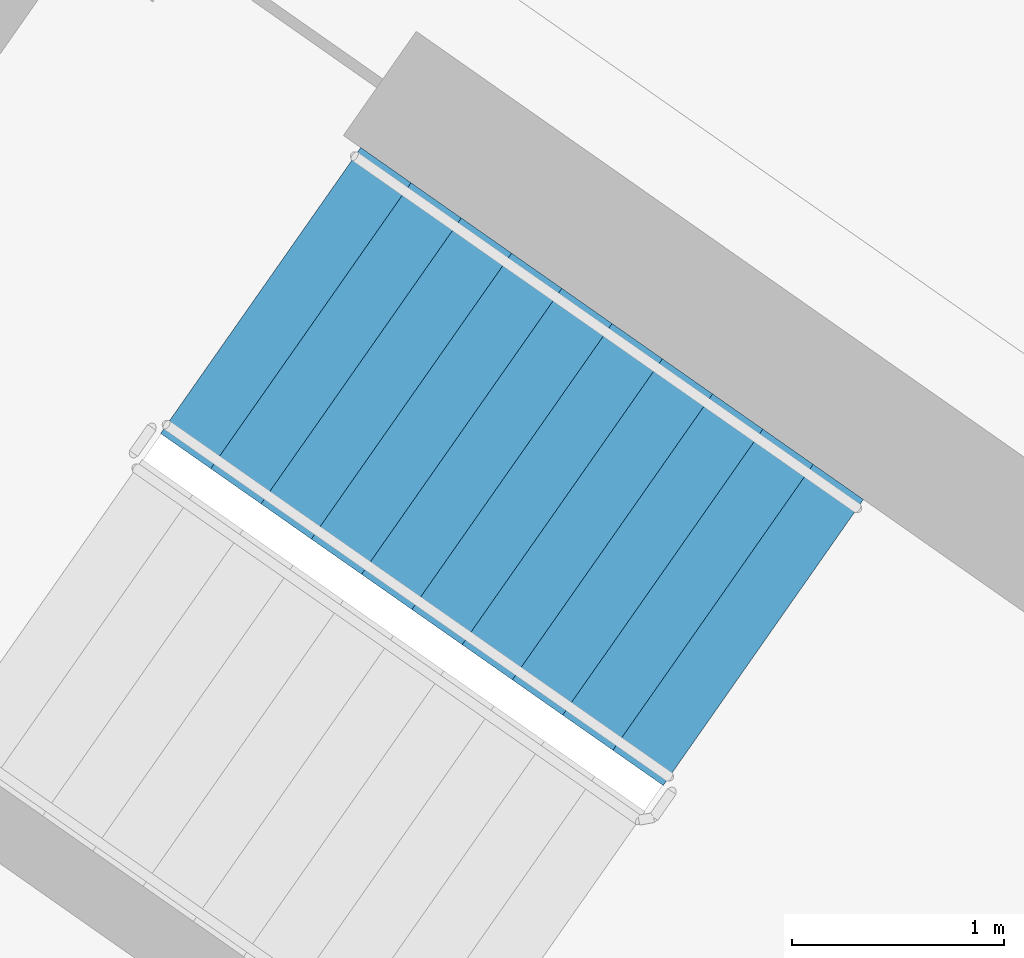
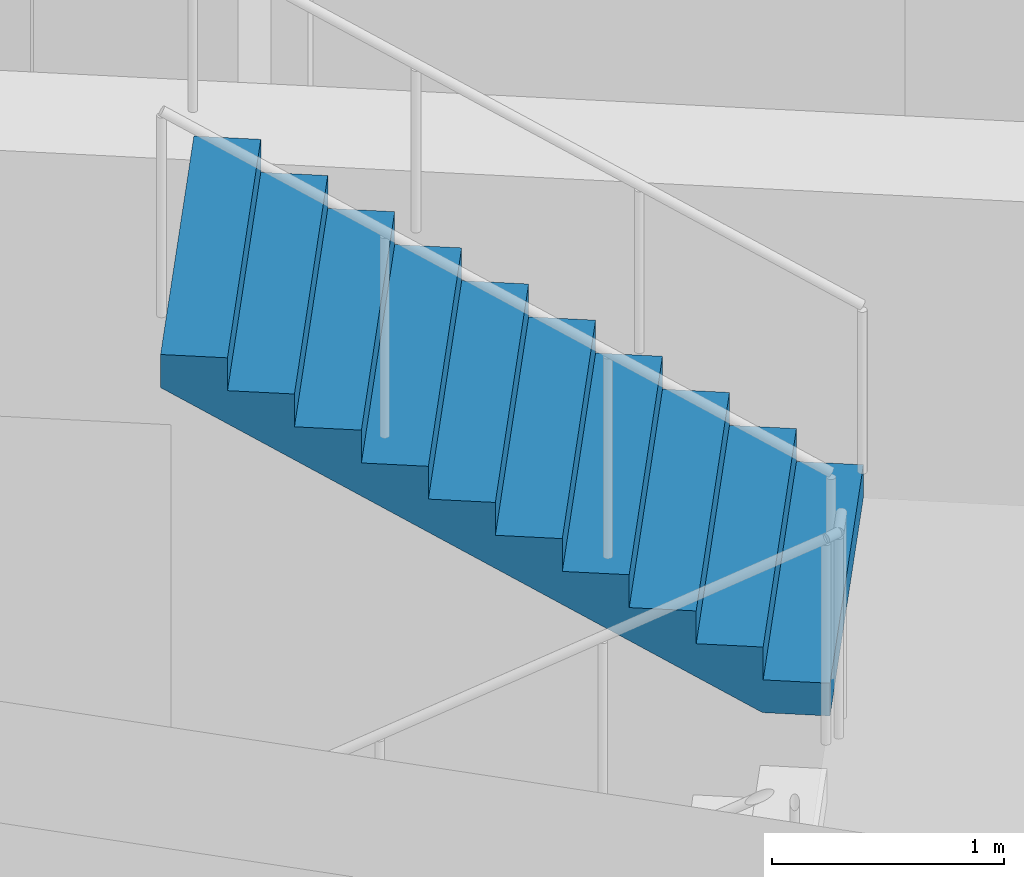
# One storey, part 13 of 28: 1 stair flight, 1 element without a shape of its own.
"""IFC4 building model written with IfcOpenShell, lengths in metres."""

from ifc_helpers import new_model, si_unit, direction, frame, origin, place, context, subcontext, project, spatial, faceted_brep, material, type_object, element, aggregate, save


model = new_model("IFC4")

# Units and contexts
model_context = context("Model", 3, precision=1e-05, world=origin(), true_north=direction((0.0, 1.0)))
body_context = subcontext(model_context, "Body", "Model", "MODEL_VIEW")
ifc_project = project(units=[si_unit("LENGTHUNIT", "METRE"), si_unit("AREAUNIT", "SQUARE_METRE"), si_unit("VOLUMEUNIT", "CUBIC_METRE"), si_unit("PLANEANGLEUNIT", "RADIAN"), si_unit("MASSUNIT", "GRAM", prefix="KILO")], contexts=[model_context])

# Site, building, storey
site_placement = place(None, origin())
site = spatial("IfcSite", under=ifc_project, at=site_placement, CompositionType="ELEMENT")
building_placement = place(site_placement, origin())
building = spatial("IfcBuilding", under=site, at=building_placement, Name="Qamariyya Broadcast Tower", CompositionType="ELEMENT")
storey_placement = place(building_placement, frame((0.0, 0.0, 269.5)))
storey = spatial("IfcBuildingStorey", under=building, at=storey_placement, Name="L65", CompositionType="ELEMENT", Elevation=269.5)

# Stair, stair flight
ifc_material = material(Name="Concrete C50/60", Category="concrete")
stair_type = type_object("IfcStairType", Name="Exit stair 22 risers of 173 mm", PredefinedType="HALF_TURN_STAIR", material=ifc_material)
stair_placement = place(storey_placement, origin())
stair = element("IfcStair", 1, at=stair_placement, inside=storey, type_object=stair_type, Name="L65 Stair W2", PredefinedType="HALF_TURN_STAIR")
stair_flight_type = type_object("IfcStairFlightType", Name="Exit stair flight 11 risers of 173 mm", PredefinedType="STRAIGHT", material=ifc_material)
stair_flight_placement = place(storey_placement, frame((-38.18310546875, -49.3486328125, 1.89990234375), z_axis=(0.0, 0.0, 1.0), x_axis=(-0.819152044289, 0.573576436351, 0.0)))
stair_flight = element("IfcStairFlight", 2, at=stair_flight_placement, type_object=stair_flight_type, Name="ST-W2 flight 2", NumberOfRisers=11, NumberOfTreads=10, PredefinedType="STRAIGHT", RiserHeight=0.172727273, TreadLength=0.29, context=body_context, shape_type="Brep", body=[
    faceted_brep([(0.0, 0.824951171875, 0.0), (0.0, 0.824951171875, 0.172607421875), (0.2900390625, 0.824951171875, 0.172607421875), (0.2900390625, 0.824951171875, 0.345458984375), (0.580078125, 0.824951171875, 0.345458984375), (0.580078125, 0.824951171875, 0.51806640625), (0.8701171875, 0.824951171875, 0.51806640625), (0.8701171875, 0.824951171875, 0.69091796875), (1.159912109375, 0.824951171875, 0.69091796875), (1.159912109375, 0.824951171875, 0.863525390625), (1.449951171875, 0.824951171875, 0.863525390625), (1.449951171875, 0.824951171875, 1.036376953125), (1.739990234375, 0.824951171875, 1.036376953125), (1.739990234375, 0.824951171875, 1.208984375), (2.030029296875, 0.824951171875, 1.208984375), (2.030029296875, 0.824951171875, 1.3818359375), (2.320068359375, 0.824951171875, 1.3818359375), (2.320068359375, 0.824951171875, 1.554443359375), (2.610107421875, 0.824951171875, 1.554443359375), (2.610107421875, 0.824951171875, 1.727294921875), (2.89990234375, 0.824951171875, 1.727294921875), (2.89990234375, 0.824951171875, 1.552734375), (0.29296875, 0.824951171875, 0.0), (0.29296875, -0.824951171875, 0.0), (2.89990234375, -0.824951171875, 1.552734375), (2.89990234375, -0.824951171875, 1.727294921875), (2.610107421875, -0.824951171875, 1.727294921875), (2.610107421875, -0.824951171875, 1.554443359375), (2.320068359375, -0.824951171875, 1.554443359375), (2.320068359375, -0.824951171875, 1.3818359375), (2.030029296875, -0.824951171875, 1.3818359375), (2.030029296875, -0.824951171875, 1.208984375), (1.739990234375, -0.824951171875, 1.208984375), (1.739990234375, -0.824951171875, 1.036376953125), (1.449951171875, -0.824951171875, 1.036376953125), (1.449951171875, -0.824951171875, 0.863525390625), (1.159912109375, -0.824951171875, 0.863525390625), (1.159912109375, -0.824951171875, 0.69091796875), (0.8701171875, -0.824951171875, 0.69091796875), (0.8701171875, -0.824951171875, 0.51806640625), (0.580078125, -0.824951171875, 0.51806640625), (0.580078125, -0.824951171875, 0.345458984375), (0.2900390625, -0.824951171875, 0.345458984375), (0.2900390625, -0.824951171875, 0.172607421875), (0.0, -0.824951171875, 0.172607421875), (0.0, -0.824951171875, 0.0), (0.0, 0.10009765625, 0.0), (0.0, 0.086669921875, 0.0), (0.0, 0.0732421875, 0.0), (0.0, 0.06005859375, 0.0), (0.0, 0.046630859375, 0.0), (0.0, 0.033447265625, 0.0), (0.0, 0.02001953125, 0.0), (0.0, 0.006591796875, 0.0), (0.0, -0.006591796875, 0.0), (0.0, -0.02001953125, 0.0), (0.0, -0.033447265625, 0.0), (0.0, -0.046630859375, 0.0), (0.0, -0.06005859375, 0.0), (0.0, -0.0732421875, 0.0), (0.0, -0.086669921875, 0.0), (0.0, -0.10009765625, 0.0), (0.0, -0.10009765625, 0.172607421875), (0.0, -0.086669921875, 0.172607421875), (0.0, -0.0732421875, 0.172607421875), (0.0, -0.06005859375, 0.172607421875), (0.0, -0.046630859375, 0.172607421875), (0.0, -0.033447265625, 0.172607421875), (0.0, -0.02001953125, 0.172607421875), (0.0, -0.006591796875, 0.172607421875), (0.0, 0.006591796875, 0.172607421875), (0.0, 0.02001953125, 0.172607421875), (0.0, 0.033447265625, 0.172607421875), (0.0, 0.046630859375, 0.172607421875), (0.0, 0.06005859375, 0.172607421875), (0.0, 0.0732421875, 0.172607421875), (0.0, 0.086669921875, 0.172607421875), (0.0, 0.10009765625, 0.172607421875), (0.2900390625, -0.10009765625, 0.172607421875), (0.2900390625, -0.086669921875, 0.172607421875), (0.2900390625, -0.0732421875, 0.172607421875), (0.2900390625, -0.06005859375, 0.172607421875), (0.2900390625, -0.046630859375, 0.172607421875), (0.2900390625, -0.033447265625, 0.172607421875), (0.2900390625, -0.02001953125, 0.172607421875), (0.2900390625, -0.006591796875, 0.172607421875), (0.2900390625, 0.006591796875, 0.172607421875), (0.2900390625, 0.02001953125, 0.172607421875), (0.2900390625, 0.033447265625, 0.172607421875), (0.2900390625, 0.046630859375, 0.172607421875), (0.2900390625, 0.06005859375, 0.172607421875), (0.2900390625, 0.0732421875, 0.172607421875), (0.2900390625, 0.086669921875, 0.172607421875), (0.2900390625, 0.10009765625, 0.172607421875), (0.2900390625, -0.10009765625, 0.345458984375), (0.2900390625, -0.086669921875, 0.345458984375), (0.2900390625, -0.0732421875, 0.345458984375), (0.2900390625, -0.06005859375, 0.345458984375), (0.2900390625, -0.046630859375, 0.345458984375), (0.2900390625, -0.033447265625, 0.345458984375), (0.2900390625, -0.02001953125, 0.345458984375), (0.2900390625, -0.006591796875, 0.345458984375), (0.2900390625, 0.006591796875, 0.345458984375), (0.2900390625, 0.02001953125, 0.345458984375), (0.2900390625, 0.033447265625, 0.345458984375), (0.2900390625, 0.046630859375, 0.345458984375), (0.2900390625, 0.06005859375, 0.345458984375), (0.2900390625, 0.0732421875, 0.345458984375), (0.2900390625, 0.086669921875, 0.345458984375), (0.2900390625, 0.10009765625, 0.345458984375), (0.580078125, -0.10009765625, 0.345458984375), (0.580078125, -0.086669921875, 0.345458984375), (0.580078125, -0.0732421875, 0.345458984375), (0.580078125, -0.06005859375, 0.345458984375), (0.580078125, -0.046630859375, 0.345458984375), (0.580078125, -0.033447265625, 0.345458984375), (0.580078125, -0.02001953125, 0.345458984375), (0.580078125, -0.006591796875, 0.345458984375), (0.580078125, 0.006591796875, 0.345458984375), (0.580078125, 0.02001953125, 0.345458984375), (0.580078125, 0.033447265625, 0.345458984375), (0.580078125, 0.046630859375, 0.345458984375), (0.580078125, 0.06005859375, 0.345458984375), (0.580078125, 0.0732421875, 0.345458984375), (0.580078125, 0.086669921875, 0.345458984375), (0.580078125, 0.10009765625, 0.345458984375), (0.580078125, -0.10009765625, 0.51806640625), (0.580078125, -0.086669921875, 0.51806640625), (0.580078125, -0.0732421875, 0.51806640625), (0.580078125, -0.06005859375, 0.51806640625), (0.580078125, -0.046630859375, 0.51806640625), (0.580078125, -0.033447265625, 0.51806640625), (0.580078125, -0.02001953125, 0.51806640625), (0.580078125, -0.006591796875, 0.51806640625), (0.580078125, 0.006591796875, 0.51806640625), (0.580078125, 0.02001953125, 0.51806640625), (0.580078125, 0.033447265625, 0.51806640625), (0.580078125, 0.046630859375, 0.51806640625), (0.580078125, 0.06005859375, 0.51806640625), (0.580078125, 0.0732421875, 0.51806640625), (0.580078125, 0.086669921875, 0.51806640625), (0.580078125, 0.10009765625, 0.51806640625), (0.8701171875, -0.10009765625, 0.51806640625), (0.8701171875, -0.086669921875, 0.51806640625), (0.8701171875, -0.0732421875, 0.51806640625), (0.8701171875, -0.06005859375, 0.51806640625), (0.8701171875, -0.046630859375, 0.51806640625), (0.8701171875, -0.033447265625, 0.51806640625), (0.8701171875, -0.02001953125, 0.51806640625), (0.8701171875, -0.006591796875, 0.51806640625), (0.8701171875, 0.006591796875, 0.51806640625), (0.8701171875, 0.02001953125, 0.51806640625), (0.8701171875, 0.033447265625, 0.51806640625), (0.8701171875, 0.046630859375, 0.51806640625), (0.8701171875, 0.06005859375, 0.51806640625), (0.8701171875, 0.0732421875, 0.51806640625), (0.8701171875, 0.086669921875, 0.51806640625), (0.8701171875, 0.10009765625, 0.51806640625), (0.8701171875, -0.10009765625, 0.69091796875), (0.8701171875, -0.086669921875, 0.69091796875), (0.8701171875, -0.0732421875, 0.69091796875), (0.8701171875, -0.06005859375, 0.69091796875), (0.8701171875, -0.046630859375, 0.69091796875), (0.8701171875, -0.033447265625, 0.69091796875), (0.8701171875, -0.02001953125, 0.69091796875), (0.8701171875, -0.006591796875, 0.69091796875), (0.8701171875, 0.006591796875, 0.69091796875), (0.8701171875, 0.02001953125, 0.69091796875), (0.8701171875, 0.033447265625, 0.69091796875), (0.8701171875, 0.046630859375, 0.69091796875), (0.8701171875, 0.06005859375, 0.69091796875), (0.8701171875, 0.0732421875, 0.69091796875), (0.8701171875, 0.086669921875, 0.69091796875), (0.8701171875, 0.10009765625, 0.69091796875), (1.159912109375, -0.10009765625, 0.69091796875), (1.159912109375, -0.086669921875, 0.69091796875), (1.159912109375, -0.0732421875, 0.69091796875), (1.159912109375, -0.06005859375, 0.69091796875), (1.159912109375, -0.046630859375, 0.69091796875), (1.159912109375, -0.033447265625, 0.69091796875), (1.159912109375, -0.02001953125, 0.69091796875), (1.159912109375, -0.006591796875, 0.69091796875), (1.159912109375, 0.006591796875, 0.69091796875), (1.159912109375, 0.02001953125, 0.69091796875), (1.159912109375, 0.033447265625, 0.69091796875), (1.159912109375, 0.046630859375, 0.69091796875), (1.159912109375, 0.06005859375, 0.69091796875), (1.159912109375, 0.0732421875, 0.69091796875), (1.159912109375, 0.086669921875, 0.69091796875), (1.159912109375, 0.10009765625, 0.69091796875), (1.159912109375, -0.10009765625, 0.863525390625), (1.159912109375, -0.086669921875, 0.863525390625), (1.159912109375, -0.0732421875, 0.863525390625), (1.159912109375, -0.06005859375, 0.863525390625), (1.159912109375, -0.046630859375, 0.863525390625), (1.159912109375, -0.033447265625, 0.863525390625), (1.159912109375, -0.02001953125, 0.863525390625), (1.159912109375, -0.006591796875, 0.863525390625), (1.159912109375, 0.006591796875, 0.863525390625), (1.159912109375, 0.02001953125, 0.863525390625), (1.159912109375, 0.033447265625, 0.863525390625), (1.159912109375, 0.046630859375, 0.863525390625), (1.159912109375, 0.06005859375, 0.863525390625), (1.159912109375, 0.0732421875, 0.863525390625), (1.159912109375, 0.086669921875, 0.863525390625), (1.159912109375, 0.10009765625, 0.863525390625), (1.449951171875, -0.10009765625, 0.863525390625), (1.449951171875, -0.086669921875, 0.863525390625), (1.449951171875, -0.0732421875, 0.863525390625), (1.449951171875, -0.06005859375, 0.863525390625), (1.449951171875, -0.046630859375, 0.863525390625), (1.449951171875, -0.033447265625, 0.863525390625), (1.449951171875, -0.02001953125, 0.863525390625), (1.449951171875, -0.006591796875, 0.863525390625), (1.449951171875, 0.006591796875, 0.863525390625), (1.449951171875, 0.02001953125, 0.863525390625), (1.449951171875, 0.033447265625, 0.863525390625), (1.449951171875, 0.046630859375, 0.863525390625), (1.449951171875, 0.06005859375, 0.863525390625), (1.449951171875, 0.0732421875, 0.863525390625), (1.449951171875, 0.086669921875, 0.863525390625), (1.449951171875, 0.10009765625, 0.863525390625), (1.449951171875, -0.10009765625, 1.036376953125), (1.449951171875, -0.086669921875, 1.036376953125), (1.449951171875, -0.0732421875, 1.036376953125), (1.449951171875, -0.06005859375, 1.036376953125), (1.449951171875, -0.046630859375, 1.036376953125), (1.449951171875, -0.033447265625, 1.036376953125), (1.449951171875, -0.02001953125, 1.036376953125), (1.449951171875, -0.006591796875, 1.036376953125), (1.449951171875, 0.006591796875, 1.036376953125), (1.449951171875, 0.02001953125, 1.036376953125), (1.449951171875, 0.033447265625, 1.036376953125), (1.449951171875, 0.046630859375, 1.036376953125), (1.449951171875, 0.06005859375, 1.036376953125), (1.449951171875, 0.0732421875, 1.036376953125), (1.449951171875, 0.086669921875, 1.036376953125), (1.449951171875, 0.10009765625, 1.036376953125), (1.739990234375, -0.10009765625, 1.036376953125), (1.739990234375, -0.086669921875, 1.036376953125), (1.739990234375, -0.0732421875, 1.036376953125), (1.739990234375, -0.06005859375, 1.036376953125), (1.739990234375, -0.046630859375, 1.036376953125), (1.739990234375, -0.033447265625, 1.036376953125), (1.739990234375, -0.02001953125, 1.036376953125), (1.739990234375, -0.006591796875, 1.036376953125), (1.739990234375, 0.006591796875, 1.036376953125), (1.739990234375, 0.02001953125, 1.036376953125), (1.739990234375, 0.033447265625, 1.036376953125), (1.739990234375, 0.046630859375, 1.036376953125), (1.739990234375, 0.06005859375, 1.036376953125), (1.739990234375, 0.0732421875, 1.036376953125), (1.739990234375, 0.086669921875, 1.036376953125), (1.739990234375, 0.10009765625, 1.036376953125), (1.739990234375, -0.10009765625, 1.208984375), (1.739990234375, -0.086669921875, 1.208984375), (1.739990234375, -0.0732421875, 1.208984375), (1.739990234375, -0.06005859375, 1.208984375), (1.739990234375, -0.046630859375, 1.208984375), (1.739990234375, -0.033447265625, 1.208984375), (1.739990234375, -0.02001953125, 1.208984375), (1.739990234375, -0.006591796875, 1.208984375), (1.739990234375, 0.006591796875, 1.208984375), (1.739990234375, 0.02001953125, 1.208984375), (1.739990234375, 0.033447265625, 1.208984375), (1.739990234375, 0.046630859375, 1.208984375), (1.739990234375, 0.06005859375, 1.208984375), (1.739990234375, 0.0732421875, 1.208984375), (1.739990234375, 0.086669921875, 1.208984375), (1.739990234375, 0.10009765625, 1.208984375), (2.030029296875, -0.10009765625, 1.208984375), (2.030029296875, -0.086669921875, 1.208984375), (2.030029296875, -0.0732421875, 1.208984375), (2.030029296875, -0.06005859375, 1.208984375), (2.030029296875, -0.046630859375, 1.208984375), (2.030029296875, -0.033447265625, 1.208984375), (2.030029296875, -0.02001953125, 1.208984375), (2.030029296875, -0.006591796875, 1.208984375), (2.030029296875, 0.006591796875, 1.208984375), (2.030029296875, 0.02001953125, 1.208984375), (2.030029296875, 0.033447265625, 1.208984375), (2.030029296875, 0.046630859375, 1.208984375), (2.030029296875, 0.06005859375, 1.208984375), (2.030029296875, 0.0732421875, 1.208984375), (2.030029296875, 0.086669921875, 1.208984375), (2.030029296875, 0.10009765625, 1.208984375), (2.030029296875, -0.10009765625, 1.3818359375), (2.030029296875, -0.086669921875, 1.3818359375), (2.030029296875, -0.0732421875, 1.3818359375), (2.030029296875, -0.06005859375, 1.3818359375), (2.030029296875, -0.046630859375, 1.3818359375), (2.030029296875, -0.033447265625, 1.3818359375), (2.030029296875, -0.02001953125, 1.3818359375), (2.030029296875, -0.006591796875, 1.3818359375), (2.030029296875, 0.006591796875, 1.3818359375), (2.030029296875, 0.02001953125, 1.3818359375), (2.030029296875, 0.033447265625, 1.3818359375), (2.030029296875, 0.046630859375, 1.3818359375), (2.030029296875, 0.06005859375, 1.3818359375), (2.030029296875, 0.0732421875, 1.3818359375), (2.030029296875, 0.086669921875, 1.3818359375), (2.030029296875, 0.10009765625, 1.3818359375), (2.320068359375, -0.10009765625, 1.3818359375), (2.320068359375, -0.086669921875, 1.3818359375), (2.320068359375, -0.0732421875, 1.3818359375), (2.320068359375, -0.06005859375, 1.3818359375), (2.320068359375, -0.046630859375, 1.3818359375), (2.320068359375, -0.033447265625, 1.3818359375), (2.320068359375, -0.02001953125, 1.3818359375), (2.320068359375, -0.006591796875, 1.3818359375), (2.320068359375, 0.006591796875, 1.3818359375), (2.320068359375, 0.02001953125, 1.3818359375), (2.320068359375, 0.033447265625, 1.3818359375), (2.320068359375, 0.046630859375, 1.3818359375), (2.320068359375, 0.06005859375, 1.3818359375), (2.320068359375, 0.0732421875, 1.3818359375), (2.320068359375, 0.086669921875, 1.3818359375), (2.320068359375, 0.10009765625, 1.3818359375), (2.320068359375, -0.10009765625, 1.554443359375), (2.320068359375, -0.086669921875, 1.554443359375), (2.320068359375, -0.0732421875, 1.554443359375), (2.320068359375, -0.06005859375, 1.554443359375), (2.320068359375, -0.046630859375, 1.554443359375), (2.320068359375, -0.033447265625, 1.554443359375), (2.320068359375, -0.02001953125, 1.554443359375), (2.320068359375, -0.006591796875, 1.554443359375), (2.320068359375, 0.006591796875, 1.554443359375), (2.320068359375, 0.02001953125, 1.554443359375), (2.320068359375, 0.033447265625, 1.554443359375), (2.320068359375, 0.046630859375, 1.554443359375), (2.320068359375, 0.06005859375, 1.554443359375), (2.320068359375, 0.0732421875, 1.554443359375), (2.320068359375, 0.086669921875, 1.554443359375), (2.320068359375, 0.10009765625, 1.554443359375), (2.610107421875, -0.10009765625, 1.554443359375), (2.610107421875, -0.086669921875, 1.554443359375), (2.610107421875, -0.0732421875, 1.554443359375), (2.610107421875, -0.06005859375, 1.554443359375), (2.610107421875, -0.046630859375, 1.554443359375), (2.610107421875, -0.033447265625, 1.554443359375), (2.610107421875, -0.02001953125, 1.554443359375), (2.610107421875, -0.006591796875, 1.554443359375), (2.610107421875, 0.006591796875, 1.554443359375), (2.610107421875, 0.02001953125, 1.554443359375), (2.610107421875, 0.033447265625, 1.554443359375), (2.610107421875, 0.046630859375, 1.554443359375), (2.610107421875, 0.06005859375, 1.554443359375), (2.610107421875, 0.0732421875, 1.554443359375), (2.610107421875, 0.086669921875, 1.554443359375), (2.610107421875, 0.10009765625, 1.554443359375), (2.610107421875, -0.10009765625, 1.727294921875), (2.610107421875, -0.086669921875, 1.727294921875), (2.610107421875, -0.0732421875, 1.727294921875), (2.610107421875, -0.06005859375, 1.727294921875), (2.610107421875, -0.046630859375, 1.727294921875), (2.610107421875, -0.033447265625, 1.727294921875), (2.610107421875, -0.02001953125, 1.727294921875), (2.610107421875, -0.006591796875, 1.727294921875), (2.610107421875, 0.006591796875, 1.727294921875), (2.610107421875, 0.02001953125, 1.727294921875), (2.610107421875, 0.033447265625, 1.727294921875), (2.610107421875, 0.046630859375, 1.727294921875), (2.610107421875, 0.06005859375, 1.727294921875), (2.610107421875, 0.0732421875, 1.727294921875), (2.610107421875, 0.086669921875, 1.727294921875), (2.610107421875, 0.10009765625, 1.727294921875), (2.89990234375, -0.10009765625, 1.727294921875), (2.89990234375, -0.086669921875, 1.727294921875), (2.89990234375, -0.0732421875, 1.727294921875), (2.89990234375, -0.06005859375, 1.727294921875), (2.89990234375, -0.046630859375, 1.727294921875), (2.89990234375, -0.033447265625, 1.727294921875), (2.89990234375, -0.02001953125, 1.727294921875), (2.89990234375, -0.006591796875, 1.727294921875), (2.89990234375, 0.006591796875, 1.727294921875), (2.89990234375, 0.02001953125, 1.727294921875), (2.89990234375, 0.033447265625, 1.727294921875), (2.89990234375, 0.046630859375, 1.727294921875), (2.89990234375, 0.06005859375, 1.727294921875), (2.89990234375, 0.0732421875, 1.727294921875), (2.89990234375, 0.086669921875, 1.727294921875), (2.89990234375, 0.10009765625, 1.727294921875), (2.89990234375, -0.10009765625, 1.552734375), (2.89990234375, -0.086669921875, 1.552734375), (2.89990234375, -0.0732421875, 1.552734375), (2.89990234375, -0.06005859375, 1.552734375), (2.89990234375, -0.046630859375, 1.552734375), (2.89990234375, -0.033447265625, 1.552734375), (2.89990234375, -0.02001953125, 1.552734375), (2.89990234375, -0.006591796875, 1.552734375), (2.89990234375, 0.006591796875, 1.552734375), (2.89990234375, 0.02001953125, 1.552734375), (2.89990234375, 0.033447265625, 1.552734375), (2.89990234375, 0.046630859375, 1.552734375), (2.89990234375, 0.06005859375, 1.552734375), (2.89990234375, 0.0732421875, 1.552734375), (2.89990234375, 0.086669921875, 1.552734375), (2.89990234375, 0.10009765625, 1.552734375), (0.29296875, -0.10009765625, 0.0), (0.29296875, -0.086669921875, 0.0), (0.29296875, -0.0732421875, 0.0), (0.29296875, -0.06005859375, 0.0), (0.29296875, -0.046630859375, 0.0), (0.29296875, -0.033447265625, 0.0), (0.29296875, -0.02001953125, 0.0), (0.29296875, -0.006591796875, 0.0), (0.29296875, 0.006591796875, 0.0), (0.29296875, 0.02001953125, 0.0), (0.29296875, 0.033447265625, 0.0), (0.29296875, 0.046630859375, 0.0), (0.29296875, 0.06005859375, 0.0), (0.29296875, 0.0732421875, 0.0), (0.29296875, 0.086669921875, 0.0), (0.29296875, 0.10009765625, 0.0)], [[[0, 1, 2, 3, 4, 5, 6, 7, 8, 9, 10, 11, 12, 13, 14, 15, 16, 17, 18, 19, 20, 21, 22]], [[23, 24, 25, 26, 27, 28, 29, 30, 31, 32, 33, 34, 35, 36, 37, 38, 39, 40, 41, 42, 43, 44, 45]], [[0, 46, 47, 48, 49, 50, 51, 52, 53, 54, 55, 56, 57, 58, 59, 60, 61, 45, 44, 62, 63, 64, 65, 66, 67, 68, 69, 70, 71, 72, 73, 74, 75, 76, 77, 1]], [[1, 77, 76, 75, 74, 73, 72, 71, 70, 69, 68, 67, 66, 65, 64, 63, 62, 44, 43, 78, 79, 80, 81, 82, 83, 84, 85, 86, 87, 88, 89, 90, 91, 92, 93, 2]], [[2, 93, 92, 91, 90, 89, 88, 87, 86, 85, 84, 83, 82, 81, 80, 79, 78, 43, 42, 94, 95, 96, 97, 98, 99, 100, 101, 102, 103, 104, 105, 106, 107, 108, 109, 3]], [[3, 109, 108, 107, 106, 105, 104, 103, 102, 101, 100, 99, 98, 97, 96, 95, 94, 42, 41, 110, 111, 112, 113, 114, 115, 116, 117, 118, 119, 120, 121, 122, 123, 124, 125, 4]], [[4, 125, 124, 123, 122, 121, 120, 119, 118, 117, 116, 115, 114, 113, 112, 111, 110, 41, 40, 126, 127, 128, 129, 130, 131, 132, 133, 134, 135, 136, 137, 138, 139, 140, 141, 5]], [[5, 141, 140, 139, 138, 137, 136, 135, 134, 133, 132, 131, 130, 129, 128, 127, 126, 40, 39, 142, 143, 144, 145, 146, 147, 148, 149, 150, 151, 152, 153, 154, 155, 156, 157, 6]], [[6, 157, 156, 155, 154, 153, 152, 151, 150, 149, 148, 147, 146, 145, 144, 143, 142, 39, 38, 158, 159, 160, 161, 162, 163, 164, 165, 166, 167, 168, 169, 170, 171, 172, 173, 7]], [[7, 173, 172, 171, 170, 169, 168, 167, 166, 165, 164, 163, 162, 161, 160, 159, 158, 38, 37, 174, 175, 176, 177, 178, 179, 180, 181, 182, 183, 184, 185, 186, 187, 188, 189, 8]], [[8, 189, 188, 187, 186, 185, 184, 183, 182, 181, 180, 179, 178, 177, 176, 175, 174, 37, 36, 190, 191, 192, 193, 194, 195, 196, 197, 198, 199, 200, 201, 202, 203, 204, 205, 9]], [[9, 205, 204, 203, 202, 201, 200, 199, 198, 197, 196, 195, 194, 193, 192, 191, 190, 36, 35, 206, 207, 208, 209, 210, 211, 212, 213, 214, 215, 216, 217, 218, 219, 220, 221, 10]], [[10, 221, 220, 219, 218, 217, 216, 215, 214, 213, 212, 211, 210, 209, 208, 207, 206, 35, 34, 222, 223, 224, 225, 226, 227, 228, 229, 230, 231, 232, 233, 234, 235, 236, 237, 11]], [[11, 237, 236, 235, 234, 233, 232, 231, 230, 229, 228, 227, 226, 225, 224, 223, 222, 34, 33, 238, 239, 240, 241, 242, 243, 244, 245, 246, 247, 248, 249, 250, 251, 252, 253, 12]], [[12, 253, 252, 251, 250, 249, 248, 247, 246, 245, 244, 243, 242, 241, 240, 239, 238, 33, 32, 254, 255, 256, 257, 258, 259, 260, 261, 262, 263, 264, 265, 266, 267, 268, 269, 13]], [[13, 269, 268, 267, 266, 265, 264, 263, 262, 261, 260, 259, 258, 257, 256, 255, 254, 32, 31, 270, 271, 272, 273, 274, 275, 276, 277, 278, 279, 280, 281, 282, 283, 284, 285, 14]], [[14, 285, 284, 283, 282, 281, 280, 279, 278, 277, 276, 275, 274, 273, 272, 271, 270, 31, 30, 286, 287, 288, 289, 290, 291, 292, 293, 294, 295, 296, 297, 298, 299, 300, 301, 15]], [[15, 301, 300, 299, 298, 297, 296, 295, 294, 293, 292, 291, 290, 289, 288, 287, 286, 30, 29, 302, 303, 304, 305, 306, 307, 308, 309, 310, 311, 312, 313, 314, 315, 316, 317, 16]], [[16, 317, 316, 315, 314, 313, 312, 311, 310, 309, 308, 307, 306, 305, 304, 303, 302, 29, 28, 318, 319, 320, 321, 322, 323, 324, 325, 326, 327, 328, 329, 330, 331, 332, 333, 17]], [[17, 333, 332, 331, 330, 329, 328, 327, 326, 325, 324, 323, 322, 321, 320, 319, 318, 28, 27, 334, 335, 336, 337, 338, 339, 340, 341, 342, 343, 344, 345, 346, 347, 348, 349, 18]], [[18, 349, 348, 347, 346, 345, 344, 343, 342, 341, 340, 339, 338, 337, 336, 335, 334, 27, 26, 350, 351, 352, 353, 354, 355, 356, 357, 358, 359, 360, 361, 362, 363, 364, 365, 19]], [[19, 365, 364, 363, 362, 361, 360, 359, 358, 357, 356, 355, 354, 353, 352, 351, 350, 26, 25, 366, 367, 368, 369, 370, 371, 372, 373, 374, 375, 376, 377, 378, 379, 380, 381, 20]], [[20, 381, 380, 379, 378, 377, 376, 375, 374, 373, 372, 371, 370, 369, 368, 367, 366, 25, 24, 382, 383, 384, 385, 386, 387, 388, 389, 390, 391, 392, 393, 394, 395, 396, 397, 21]], [[21, 397, 396, 395, 394, 393, 392, 391, 390, 389, 388, 387, 386, 385, 384, 383, 382, 24, 23, 398, 399, 400, 401, 402, 403, 404, 405, 406, 407, 408, 409, 410, 411, 412, 413, 22]], [[22, 413, 412, 411, 410, 409, 408, 407, 406, 405, 404, 403, 402, 401, 400, 399, 398, 23, 45, 61, 60, 59, 58, 57, 56, 55, 54, 53, 52, 51, 50, 49, 48, 47, 46, 0]]]),
])
aggregate(stair, [stair_flight])

save(model, "model.ifc")
